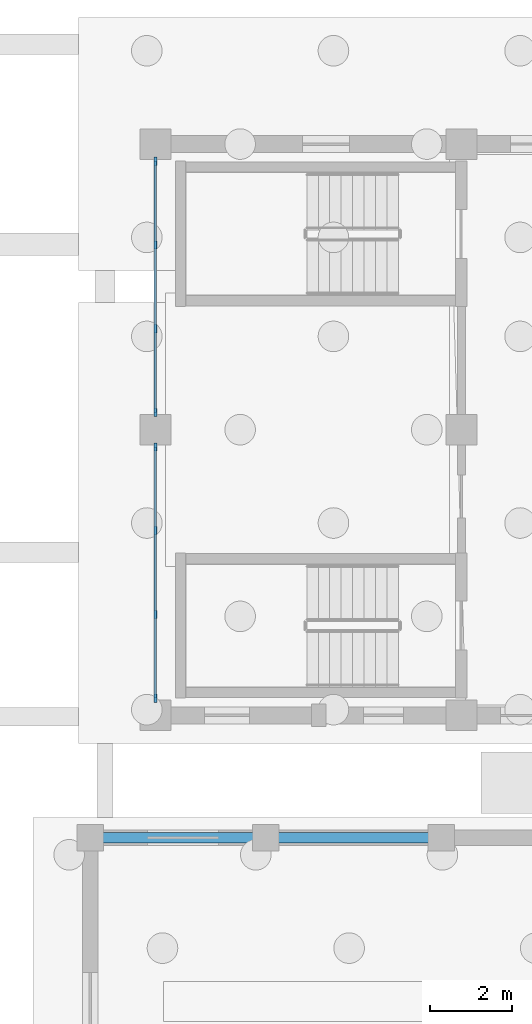
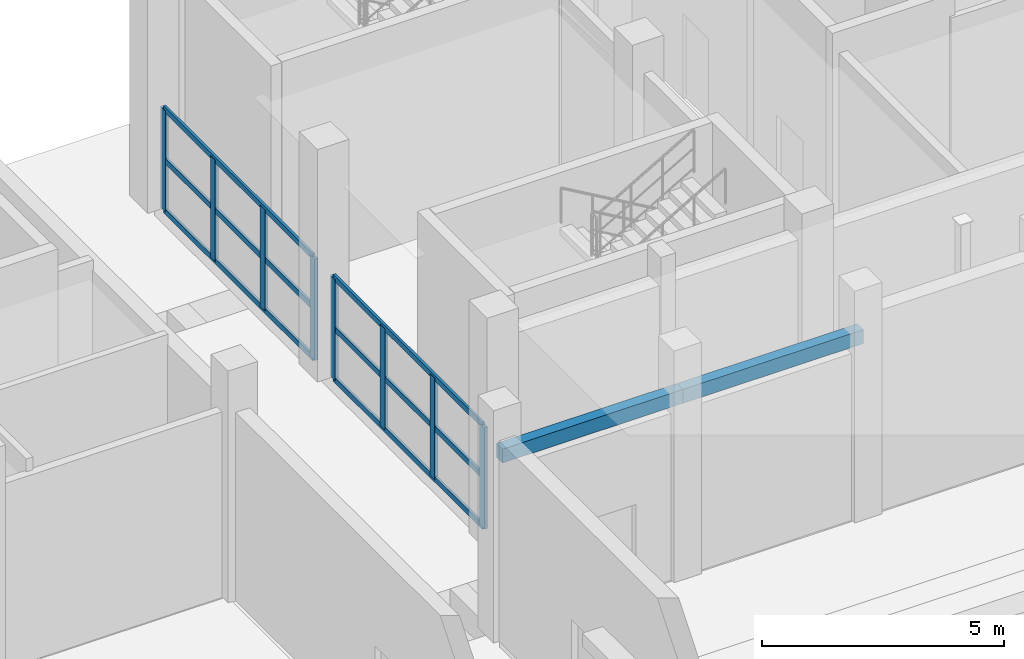
# One storey, part 20 of 60: 14 members, 2 beams, 2 elements without a shape of their own.
"""IFC4 building model written with IfcOpenShell, lengths in metres."""

from ifc_helpers import new_model, si_unit, direction, frame, origin, origin_2d, place, context, subcontext, project, spatial, rectangle, extrude, material, layer, layer_set, material_profile, profile_set, type_object, element, aggregate, save


model = new_model("IFC4")

# Units and contexts
model_context = context("Model", 3, precision=1e-05, world=origin(), true_north=direction((0.0, 1.0)))
body_context = subcontext(model_context, "Body", "Model", "MODEL_VIEW")
ifc_project = project(units=[si_unit("LENGTHUNIT", "METRE"), si_unit("AREAUNIT", "SQUARE_METRE"), si_unit("VOLUMEUNIT", "CUBIC_METRE"), si_unit("PLANEANGLEUNIT", "RADIAN"), si_unit("MASSUNIT", "GRAM", prefix="KILO")], contexts=[model_context])

# Site, building, storey
site_placement = place(None, origin())
site = spatial("IfcSite", under=ifc_project, at=site_placement, CompositionType="ELEMENT")
building_placement = place(site_placement, origin())
building = spatial("IfcBuilding", under=site, at=building_placement, Name="Trellovar Central Fire Station", CompositionType="ELEMENT")
storey_placement = place(building_placement, origin())
storey = spatial("IfcBuildingStorey", under=building, at=storey_placement, Name="L01", CompositionType="ELEMENT", Elevation=0.0)

# Beams
ifc_material_1 = material(Name="Concrete C40/50", Category="concrete")
ifc_material_profile_1 = material_profile(ifc_material_1, rectangle(XDim=0.25, YDim=0.35009765625, at=origin_2d()), Name="RC250X350")
ifc_profile_set_1 = profile_set([ifc_material_profile_1], Name="Concrete C40/50")
beam_type = type_object("IfcBeamType", Name="BM-LN3", PredefinedType="LINTEL", material=ifc_profile_set_1)
for number, where, z_axis, x_axis, name in (
    (1, (139.5, 56.0, 4.47509765625), (1.0, 0.0, 0.0), (0.0, 1.0, 0.0), "V3 stage exit lintel 1"),
    (2, (143.800048828125, 56.0, 4.47509765625), (1.0, 0.0, 0.0), (0.0, 1.0, 0.0), "V3 stage exit lintel 2"),
):
    element("IfcBeam", number, at=place(storey_placement, frame(where, z_axis=z_axis, x_axis=x_axis)), inside=storey, type_object=beam_type, Name=name, PredefinedType="LINTEL", context=body_context, shape_type="SweptSolid", body=[
        extrude(rectangle(XDim=0.25, YDim=0.35009765625, at=origin_2d()), origin(), (0.0, 0.0, 1.0), 4.300048828125),
    ])

# Curtain wall, members
ifc_material_2 = material(Name="Thermally broken bronze anodized aluminum", Category="aluminium")
ifc_layer = layer(ifc_material_2, 0.159912109375)
ifc_layer_set = layer_set([ifc_layer], Name="Thermally broken bronze anodized aluminum")
curtain_wall_type = type_object("IfcCurtainWallType", Name="CW-07", PredefinedType="NOTDEFINED", material=ifc_layer_set)
curtain_wall_1_placement = place(storey_placement, origin())
curtain_wall_1 = element("IfcCurtainWall", 3, at=curtain_wall_1_placement, inside=storey, type_object=curtain_wall_type, Name="V2 L01 west drill yard curtain wall", PredefinedType="NOTDEFINED")
ifc_material_3 = material(Name="Thermally broken bronze anodized aluminum", Category="aluminium")
ifc_material_profile_2 = material_profile(ifc_material_3, rectangle(XDim=0.074951171875, YDim=0.199951171875, at=origin_2d()), Name="ALU75X200")
ifc_profile_set_2 = profile_set([ifc_material_profile_2], Name="Thermally broken bronze anodized aluminum")
member_type_1 = type_object("IfcMemberType", Name="CWM-1", PredefinedType="MULLION", material=ifc_profile_set_2)
member_1_placement = place(storey_placement, frame((141.10009765625, 59.419921875, 0.0), z_axis=(0.0, 0.0, 1.0), x_axis=(1.0, 0.0, 0.0)))
member_1 = element("IfcMember", 4, at=member_1_placement, type_object=member_type_1, Name="CW3-L01-0154 mullion 1", PredefinedType="MULLION", context=body_context, shape_type="SweptSolid", body=[
    extrude(rectangle(XDim=0.074951171875, YDim=0.199951171875, at=origin_2d()), origin(), (0.0, 0.0, 1.0), 2.550048828125),
])
member_2_placement = place(storey_placement, frame((141.10009765625, 61.473388671875, 0.0), z_axis=(0.0, 0.0, 1.0), x_axis=(1.0, 0.0, 0.0)))
member_2 = element("IfcMember", 5, at=member_2_placement, type_object=member_type_1, Name="CW3-L01-0154 mullion 2", PredefinedType="MULLION", context=body_context, shape_type="SweptSolid", body=[
    extrude(rectangle(XDim=0.074951171875, YDim=0.199951171875, at=origin_2d()), origin(), (0.0, 0.0, 1.0), 2.550048828125),
])
member_3_placement = place(storey_placement, frame((141.10009765625, 63.526611328125, 0.0), z_axis=(0.0, 0.0, 1.0), x_axis=(1.0, 0.0, 0.0)))
member_3 = element("IfcMember", 6, at=member_3_placement, type_object=member_type_1, Name="CW3-L01-0154 mullion 3", PredefinedType="MULLION", context=body_context, shape_type="SweptSolid", body=[
    extrude(rectangle(XDim=0.074951171875, YDim=0.199951171875, at=origin_2d()), origin(), (0.0, 0.0, 1.0), 2.550048828125),
])
member_4_placement = place(storey_placement, frame((141.10009765625, 65.580078125, 0.0), z_axis=(0.0, 0.0, 1.0), x_axis=(1.0, 0.0, 0.0)))
member_4 = element("IfcMember", 7, at=member_4_placement, type_object=member_type_1, Name="CW3-L01-0154 mullion 4", PredefinedType="MULLION", context=body_context, shape_type="SweptSolid", body=[
    extrude(rectangle(XDim=0.074951171875, YDim=0.199951171875, at=origin_2d()), origin(), (0.0, 0.0, 1.0), 2.550048828125),
])

curtain_wall_2_placement = place(storey_placement, origin())
curtain_wall_2 = element("IfcCurtainWall", 8, at=curtain_wall_2_placement, inside=storey, type_object=curtain_wall_type, Name="V2 L01 west drill yard curtain wall", PredefinedType="NOTDEFINED")
member_5_placement = place(storey_placement, frame((141.10009765625, 66.419921875, 0.0), z_axis=(0.0, 0.0, 1.0), x_axis=(1.0, 0.0, 0.0)))
member_5 = element("IfcMember", 9, at=member_5_placement, type_object=member_type_1, Name="CW3-L01-0155 mullion 1", PredefinedType="MULLION", context=body_context, shape_type="SweptSolid", body=[
    extrude(rectangle(XDim=0.074951171875, YDim=0.199951171875, at=origin_2d()), origin(), (0.0, 0.0, 1.0), 2.550048828125),
])
member_6_placement = place(storey_placement, frame((141.10009765625, 68.473388671875, 0.0), z_axis=(0.0, 0.0, 1.0), x_axis=(1.0, 0.0, 0.0)))
member_6 = element("IfcMember", 10, at=member_6_placement, type_object=member_type_1, Name="CW3-L01-0155 mullion 2", PredefinedType="MULLION", context=body_context, shape_type="SweptSolid", body=[
    extrude(rectangle(XDim=0.074951171875, YDim=0.199951171875, at=origin_2d()), origin(), (0.0, 0.0, 1.0), 2.550048828125),
])
member_7_placement = place(storey_placement, frame((141.10009765625, 70.526611328125, 0.0), z_axis=(0.0, 0.0, 1.0), x_axis=(1.0, 0.0, 0.0)))
member_7 = element("IfcMember", 11, at=member_7_placement, type_object=member_type_1, Name="CW3-L01-0155 mullion 3", PredefinedType="MULLION", context=body_context, shape_type="SweptSolid", body=[
    extrude(rectangle(XDim=0.074951171875, YDim=0.199951171875, at=origin_2d()), origin(), (0.0, 0.0, 1.0), 2.550048828125),
])
member_8_placement = place(storey_placement, frame((141.10009765625, 72.580078125, 0.0), z_axis=(0.0, 0.0, 1.0), x_axis=(1.0, 0.0, 0.0)))
member_8 = element("IfcMember", 12, at=member_8_placement, type_object=member_type_1, Name="CW3-L01-0155 mullion 4", PredefinedType="MULLION", context=body_context, shape_type="SweptSolid", body=[
    extrude(rectangle(XDim=0.074951171875, YDim=0.199951171875, at=origin_2d()), origin(), (0.0, 0.0, 1.0), 2.550048828125),
])

# Member
ifc_material_4 = material(Name="Thermally broken bronze anodized aluminum", Category="aluminium")
ifc_material_profile_3 = material_profile(ifc_material_4, rectangle(XDim=0.06005859375, YDim=0.139892578125, at=origin_2d()), Name="ALU60X140")
ifc_profile_set_3 = profile_set([ifc_material_profile_3], Name="Thermally broken bronze anodized aluminum")
member_type_2 = type_object("IfcMemberType", Name="CWT-1", PredefinedType="USERDEFINED", material=ifc_profile_set_3)
member_9_placement = place(storey_placement, frame((141.10009765625, 59.419921875, 0.0), z_axis=(0.0, 1.0, 0.0), x_axis=(-1.0, 0.0, 0.0)))
member_9 = element("IfcMember", 13, at=member_9_placement, type_object=member_type_2, Name="CW3-L01-0154 transom 1", ObjectType="TRANSOM", PredefinedType="USERDEFINED", context=body_context, shape_type="SweptSolid", body=[
    extrude(rectangle(XDim=0.06005859375, YDim=0.139892578125, at=origin_2d()), origin(), (0.0, 0.0, 1.0), 6.16015625),
])

member_10_placement = place(storey_placement, frame((141.10009765625, 59.419921875, 1.27490234375), z_axis=(0.0, 1.0, 0.0), x_axis=(-1.0, 0.0, 0.0)))
member_10 = element("IfcMember", 14, at=member_10_placement, type_object=member_type_2, Name="CW3-L01-0154 transom 2", ObjectType="TRANSOM", PredefinedType="USERDEFINED", context=body_context, shape_type="SweptSolid", body=[
    extrude(rectangle(XDim=0.06005859375, YDim=0.139892578125, at=origin_2d()), origin(), (0.0, 0.0, 1.0), 6.16015625),
])

member_11_placement = place(storey_placement, frame((141.10009765625, 59.419921875, 2.550048828125), z_axis=(0.0, 1.0, 0.0), x_axis=(-1.0, 0.0, 0.0)))
member_11 = element("IfcMember", 15, at=member_11_placement, type_object=member_type_2, Name="CW3-L01-0154 transom 3", ObjectType="TRANSOM", PredefinedType="USERDEFINED", context=body_context, shape_type="SweptSolid", body=[
    extrude(rectangle(XDim=0.06005859375, YDim=0.139892578125, at=origin_2d()), origin(), (0.0, 0.0, 1.0), 6.16015625),
])

aggregate(curtain_wall_1, [member_1, member_2, member_3, member_4, member_9, member_10, member_11])

member_12_placement = place(storey_placement, frame((141.10009765625, 66.419921875, 0.0), z_axis=(0.0, 1.0, 0.0), x_axis=(-1.0, 0.0, 0.0)))
member_12 = element("IfcMember", 16, at=member_12_placement, type_object=member_type_2, Name="CW3-L01-0155 transom 1", ObjectType="TRANSOM", PredefinedType="USERDEFINED", context=body_context, shape_type="SweptSolid", body=[
    extrude(rectangle(XDim=0.06005859375, YDim=0.139892578125, at=origin_2d()), origin(), (0.0, 0.0, 1.0), 6.16015625),
])

member_13_placement = place(storey_placement, frame((141.10009765625, 66.419921875, 1.27490234375), z_axis=(0.0, 1.0, 0.0), x_axis=(-1.0, 0.0, 0.0)))
member_13 = element("IfcMember", 17, at=member_13_placement, type_object=member_type_2, Name="CW3-L01-0155 transom 2", ObjectType="TRANSOM", PredefinedType="USERDEFINED", context=body_context, shape_type="SweptSolid", body=[
    extrude(rectangle(XDim=0.06005859375, YDim=0.139892578125, at=origin_2d()), origin(), (0.0, 0.0, 1.0), 6.16015625),
])

member_14_placement = place(storey_placement, frame((141.10009765625, 66.419921875, 2.550048828125), z_axis=(0.0, 1.0, 0.0), x_axis=(-1.0, 0.0, 0.0)))
member_14 = element("IfcMember", 18, at=member_14_placement, type_object=member_type_2, Name="CW3-L01-0155 transom 3", ObjectType="TRANSOM", PredefinedType="USERDEFINED", context=body_context, shape_type="SweptSolid", body=[
    extrude(rectangle(XDim=0.06005859375, YDim=0.139892578125, at=origin_2d()), origin(), (0.0, 0.0, 1.0), 6.16015625),
])

aggregate(curtain_wall_2, [member_5, member_6, member_7, member_8, member_12, member_13, member_14])

save(model, "model.ifc")
